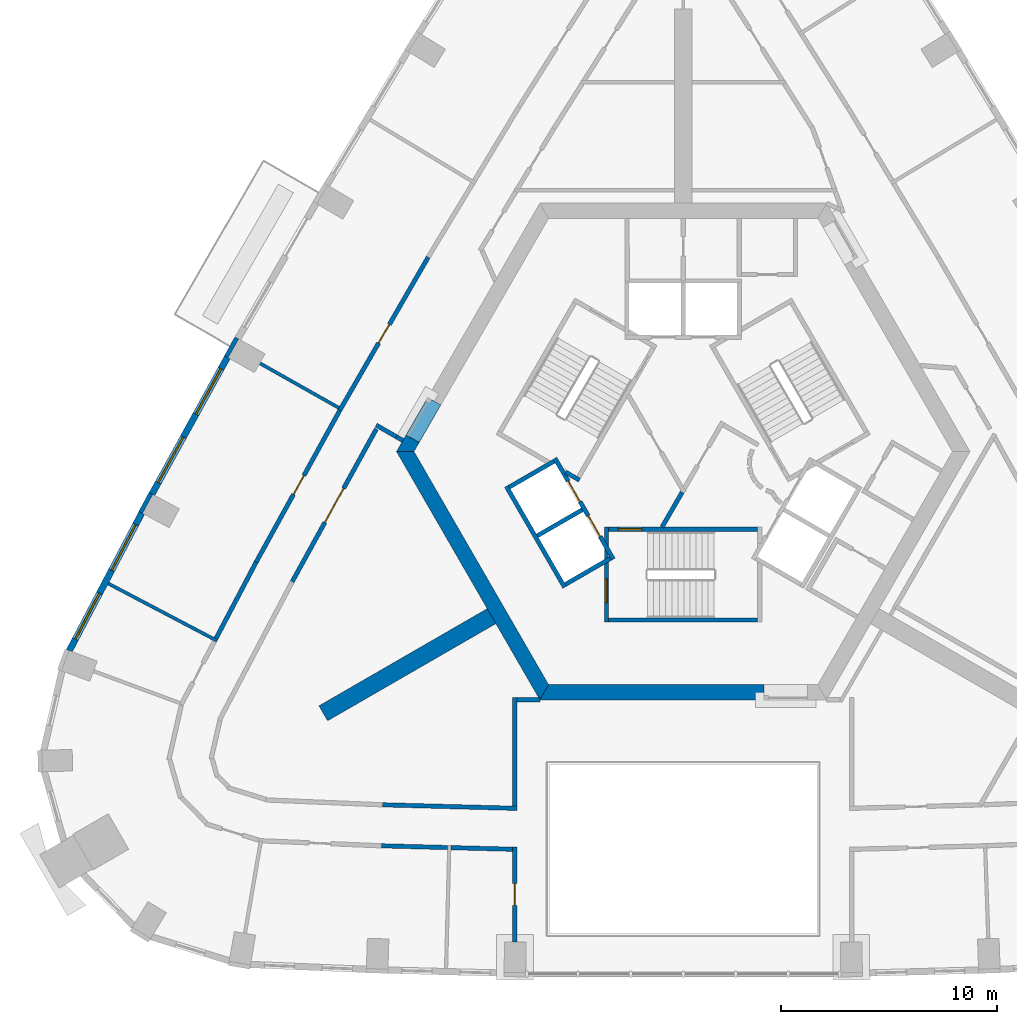
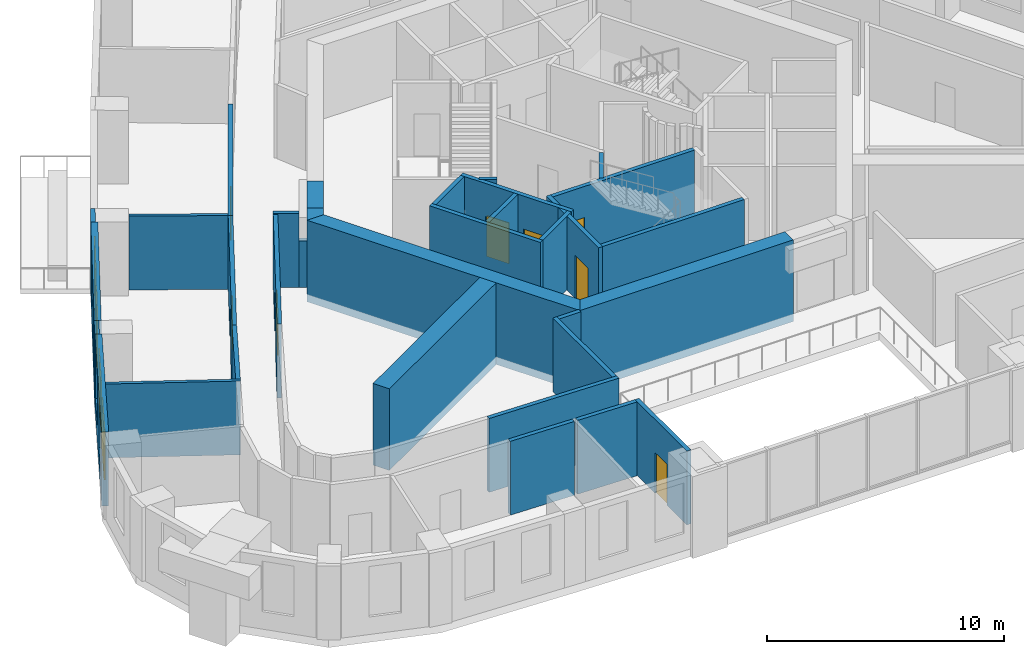
# One storey, part 4 of 13: 33 walls, 8 doors, 4 windows, 12 openings.
"""IFC4 building model written with IfcOpenShell, lengths in metres."""

from ifc_helpers import new_model, si_unit, direction, frame, frame_2d, origin, place, context, subcontext, project, spatial, polyline, rectangle, outline, extrude, material, layer, layer_set, type_object, element, fill, save


model = new_model("IFC4")

# Units and contexts
model_context = context("Model", 3, precision=1e-05, world=origin(), true_north=direction((0.0, 1.0)))
body_context = subcontext(model_context, "Body", "Model", "MODEL_VIEW")
ifc_project = project(units=[si_unit("LENGTHUNIT", "METRE"), si_unit("AREAUNIT", "SQUARE_METRE"), si_unit("VOLUMEUNIT", "CUBIC_METRE"), si_unit("PLANEANGLEUNIT", "RADIAN"), si_unit("MASSUNIT", "GRAM", prefix="KILO")], contexts=[model_context])

# Site, building, storey
site_placement = place(None, origin())
site = spatial("IfcSite", under=ifc_project, at=site_placement, CompositionType="ELEMENT")
building_placement = place(site_placement, origin())
building = spatial("IfcBuilding", under=site, at=building_placement, Name="Entoto Arch Interchange Tower", CompositionType="ELEMENT")
storey_placement = place(building_placement, frame((0.0, 0.0, 198.199951171875)))
storey = spatial("IfcBuildingStorey", under=building, at=storey_placement, Name="L44", CompositionType="ELEMENT", Elevation=198.199951171875)

# Walls
ifc_material_1 = material(Name="Concrete C50/60", Category="concrete")
ifc_layer_1 = layer(ifc_material_1, 0.800048828125)
ifc_layer_set_1 = layer_set([ifc_layer_1], Name="Concrete C50/60")
wall_type_1 = type_object("IfcWallType", Name="Buttress wall 800 C50/60", PredefinedType="SHEAR", material=ifc_layer_set_1)
wall_1_placement = place(storey_placement, frame((-8.876953125, -5.125, -0.39990234375), z_axis=(0.0, 0.0, 1.0), x_axis=(-0.866017533419, -0.500013631625, 0.0)))
element("IfcWall", 1, at=wall_1_placement, inside=storey, type_object=wall_type_1, Name="Buttress wall SW L44", PredefinedType="SHEAR", context=body_context, shape_type="SweptSolid", body=[
    extrude(rectangle(XDim=8.999755859375, YDim=0.800048828125, at=frame_2d((4.5, 0.0))), origin(), (0.0, 0.0, 1.0), 4.199951171875),
])
ifc_layer_2 = layer(ifc_material_1, 0.699951171875)
ifc_layer_set_2 = layer_set([ifc_layer_2], Name="Concrete C50/60")
wall_type_2 = type_object("IfcWallType", Name="Core wall 700 C50/60", PredefinedType="SHEAR", material=ifc_layer_set_2)
wall_2_placement = place(storey_placement, frame((0.0, 0.0, -0.39990234375)))
element("IfcWall", 2, at=wall_2_placement, inside=storey, type_object=wall_type_2, Name="Core wall NW L44", PredefinedType="SHEAR", context=body_context, shape_type="SweptSolid", body=[
    extrude(outline(polyline([(-12.22802734375, 2.919921875), (-12.833984375, 3.27001953125), (-13.279052734375, 2.5), (-12.470947265625, 2.5), (-12.22802734375, 2.919921875)])), origin(), (0.0, 0.0, 1.0), 4.199951171875),
])
wall_3_placement = place(storey_placement, frame((0.0, 0.0, 3.60009765625)))
element("IfcWall", 3, at=wall_3_placement, inside=storey, type_object=wall_type_2, Name="Core wall lintel NW L44", PredefinedType="SHEAR", context=body_context, shape_type="SweptSolid", body=[
    extrude(outline(polyline([(-12.833984375, 3.27001953125), (-12.22802734375, 2.919921875), (-11.22802734375, 4.652099609375), (-11.833984375, 5.001953125), (-12.833984375, 3.27001953125)])), origin(), (0.0, 0.0, 1.0), 0.199951171875),
])
wall_4_placement = place(storey_placement, frame((0.0, 0.0, -0.39990234375)))
element("IfcWall", 4, at=wall_4_placement, inside=storey, type_object=wall_type_2, Name="Core wall SW L44", PredefinedType="SHEAR", context=body_context, shape_type="SweptSolid", body=[
    extrude(outline(polyline([(-13.279052734375, 2.5), (-6.639892578125, -9.0), (-6.235107421875, -8.300048828125), (-12.470947265625, 2.5), (-13.279052734375, 2.5)])), origin(), (0.0, 0.0, 1.0), 4.199951171875),
])
wall_5_placement = place(storey_placement, frame((0.0, 0.0, -0.39990234375)))
element("IfcWall", 5, at=wall_5_placement, inside=storey, type_object=wall_type_2, Name="Core wall S L44", PredefinedType="SHEAR", context=body_context, shape_type="SweptSolid", body=[
    extrude(outline(polyline([(3.75, -9.0), (3.75, -8.300048828125), (-6.235107421875, -8.300048828125), (-6.639892578125, -9.0), (3.75, -9.0)])), origin(), (0.0, 0.0, 1.0), 4.199951171875),
])

# Wall, openings, doors
ifc_material_2 = material(Name="Concrete C40/50", Category="concrete")
ifc_layer_3 = layer(ifc_material_2, 0.199951171875)
ifc_layer_set_3 = layer_set([ifc_layer_3], Name="Concrete C40/50")
wall_type_3 = type_object("IfcWallType", Name="LIFT SHAFT WALL 200", PredefinedType="STANDARD", material=ifc_layer_set_3)
wall_6_placement = place(storey_placement, frame((-5.93994140625, 2.18798828125, 0.0), z_axis=(0.0, 0.0, 1.0), x_axis=(0.500034260056, -0.866005622828, 0.0)))
wall_6 = element("IfcWall", 6, at=wall_6_placement, inside=storey, type_object=wall_type_3, Name="Shaft wall SW1 front", PredefinedType="STANDARD", context=body_context, shape_type="SweptSolid", body=[
    extrude(rectangle(XDim=5.3994140625, YDim=0.199951171875, at=frame_2d((2.69970703125, 0.0))), origin(), (0.0, 0.0, 1.0), 3.800048828125),
])
opening_1_placement = place(wall_6_placement, frame((3.074951171875, 0.0, 0.0)))
opening_1 = element("IfcOpeningElement", 7, at=opening_1_placement, cuts=wall_6, Name="Opening LD-HR4-L44", PredefinedType="OPENING", context=body_context, shape_type="SweptSolid", body=[
    extrude(rectangle(XDim=1.10009765625, YDim=2.10009765625, at=frame_2d((0.550048828125, 1.050048828125))), frame((0.0, 0.10986328125, 0.0), z_axis=(0.0, -1.0, 0.0), x_axis=(1.0, 0.0, 0.0)), (0.0, 0.0, 1.0), 0.219970703125),
])
opening_2_placement = place(wall_6_placement, frame((1.22509765625, 0.0, 0.0)))
opening_2 = element("IfcOpeningElement", 8, at=opening_2_placement, cuts=wall_6, Name="Opening LD-FF2-L44", PredefinedType="OPENING", context=body_context, shape_type="SweptSolid", body=[
    extrude(rectangle(XDim=1.10009765625, YDim=2.10009765625, at=frame_2d((0.550048828125, 1.050048828125))), frame((0.0, 0.10986328125, 0.0), z_axis=(0.0, -1.0, 0.0), x_axis=(1.0, 0.0, 0.0)), (0.0, 0.0, 1.0), 0.219970703125),
])
ifc_material_3 = material(Name="Stainless steel 1.4301 panels", Category="steel")
door_type_1 = type_object("IfcDoorType", Name="LIFT LANDING DOOR LD1 1100x2100", OperationType="SLIDING_TO_LEFT", PredefinedType="DOOR", material=ifc_material_3)
door_1_placement = place(opening_1_placement, origin())
door_1 = element("IfcDoor", 9, at=door_1_placement, inside=storey, type_object=door_type_1, Name="Lift landing door HR4 L44", OperationType="SLIDING_TO_LEFT", OverallHeight=2.10009765625, OverallWidth=1.10009765625, PredefinedType="DOOR", context=body_context, shape_type="SweptSolid", body=[
    extrude(rectangle(XDim=1.10009765625, YDim=2.10009765625, at=frame_2d((0.550048828125, 1.050048828125))), frame((0.0, 0.02490234375, 0.0), z_axis=(0.0, -1.0, 0.0), x_axis=(1.0, 0.0, 0.0)), (0.0, 0.0, 1.0), 0.050048828125),
])
fill(opening_1, door_1)
door_2_placement = place(opening_2_placement, origin())
door_2 = element("IfcDoor", 10, at=door_2_placement, inside=storey, type_object=door_type_1, Name="Lift landing door FF2 L44", OperationType="SLIDING_TO_LEFT", OverallHeight=2.10009765625, OverallWidth=1.10009765625, PredefinedType="DOOR", context=body_context, shape_type="SweptSolid", body=[
    extrude(rectangle(XDim=1.10009765625, YDim=2.10009765625, at=frame_2d((0.550048828125, 1.050048828125))), frame((0.0, 0.02490234375, 0.0), z_axis=(0.0, -1.0, 0.0), x_axis=(1.0, 0.0, 0.0)), (0.0, 0.0, 1.0), 0.050048828125),
])
fill(opening_2, door_2)

# Walls
wall_7_placement = place(storey_placement, frame((-8.19189453125, 0.887939453125, 0.0), z_axis=(0.0, 0.0, 1.0), x_axis=(0.500034260056, -0.866005622828, 0.0)))
element("IfcWall", 11, at=wall_7_placement, inside=storey, type_object=wall_type_3, Name="Shaft wall SW1 back", PredefinedType="STANDARD", context=body_context, shape_type="SweptSolid", body=[
    extrude(rectangle(XDim=5.3994140625, YDim=0.199951171875, at=frame_2d((2.69970703125, 0.0))), origin(), (0.0, 0.0, 1.0), 3.800048828125),
])
for number, where, z_axis, x_axis, name in (
    (12, (-5.97705078125, 2.052001953125, 0.0), (0.0, 0.0, 1.0), (-0.865973769406, -0.500089422704, 0.0), "Shaft wall SW1 cross 1"),
    (13, (-4.677001953125, -0.199951171875, 0.0), (0.0, 0.0, 1.0), (-0.865973769406, -0.500089422704, 0.0), "Shaft wall SW1 cross 2"),
):
    element("IfcWall", number, at=place(storey_placement, frame(where, z_axis=z_axis, x_axis=x_axis)), inside=storey, type_object=wall_type_3, Name=name, PredefinedType="STANDARD", context=body_context, shape_type="SweptSolid", body=[
        extrude(rectangle(XDim=2.3994140625, YDim=0.199951171875, at=frame_2d((1.19970703125, 0.0))), origin(), (0.0, 0.0, 1.0), 3.800048828125),
    ])
wall_8_placement = place(storey_placement, frame((-3.376953125, -2.451904296875, 0.0), z_axis=(0.0, 0.0, 1.0), x_axis=(-0.865955154139, -0.50012165622, 0.0)))
element("IfcWall", 14, at=wall_8_placement, inside=storey, type_object=wall_type_3, Name="Shaft wall SW1 cross 3", PredefinedType="STANDARD", context=body_context, shape_type="SweptSolid", body=[
    extrude(rectangle(XDim=2.39990234375, YDim=0.199951171875, at=frame_2d((1.199951171875, 0.0))), origin(), (0.0, 0.0, 1.0), 3.800048828125),
])
ifc_material_4 = material(Name="Gypsum board partition on steel studs", Category="steel")
ifc_layer_4 = layer(ifc_material_4, 0.14990234375)
ifc_layer_set_4 = layer_set([ifc_layer_4], Name="Gypsum board partition on steel studs")
wall_type_4 = type_object("IfcWallType", Name="PARTITION 150", PredefinedType="PARTITIONING", material=ifc_layer_set_4)
wall_9_placement = place(storey_placement, frame((-15.9541015625, 4.52587890625, 0.0), z_axis=(0.0, 0.0, 1.0), x_axis=(-0.870940016277, 0.491389344663, 0.0)))
element("IfcWall", 15, at=wall_9_placement, inside=storey, type_object=wall_type_4, Name="wall:L44:p118", PredefinedType="PARTITIONING", context=body_context, shape_type="SweptSolid", body=[
    extrude(rectangle(XDim=4.180419921875, YDim=0.14990234375, at=frame_2d((2.09033203125, 0.0))), origin(), (0.0, 0.0, 1.0), 3.800048828125),
])
wall_10_placement = place(storey_placement, frame((-21.5849609375, -6.26708984375, 0.0), z_axis=(0.0, 0.0, 1.0), x_axis=(-0.885073333504, 0.465451602554, 0.0)))
element("IfcWall", 16, at=wall_10_placement, inside=storey, type_object=wall_type_4, Name="wall:L44:p119", PredefinedType="PARTITIONING", context=body_context, shape_type="SweptSolid", body=[
    extrude(rectangle(XDim=5.699951171875, YDim=0.14990234375, at=frame_2d((2.85009765625, 0.0))), origin(), (0.0, 0.0, 1.0), 3.800048828125),
])
ifc_layer_5 = layer(ifc_material_4, 0.199951171875)
ifc_layer_set_5 = layer_set([ifc_layer_5], Name="Gypsum board partition on steel studs")
wall_type_5 = type_object("IfcWallType", Name="PARTITION 200", PredefinedType="PARTITIONING", material=ifc_layer_set_5)
wall_11_placement = place(storey_placement, frame((-13.9189453125, -13.863037109375, 0.0), z_axis=(0.0, 0.0, 1.0), x_axis=(0.999652206272, -0.026371698764, 0.0)))
element("IfcWall", 17, at=wall_11_placement, inside=storey, type_object=wall_type_5, Name="wall:L44:p032", PredefinedType="PARTITIONING", context=body_context, shape_type="SweptSolid", body=[
    extrude(rectangle(XDim=6.22119140625, YDim=0.199951171875, at=frame_2d((3.110595703125, 0.0))), origin(), (0.0, 0.0, 1.0), 3.800048828125),
])
wall_12_placement = place(storey_placement, frame((-12.98388671875, 3.010009765625, 0.0), z_axis=(0.0, 0.0, 1.0), x_axis=(-0.866046247233, 0.49996389635, 0.0)))
element("IfcWall", 18, at=wall_12_placement, inside=storey, type_object=wall_type_5, Name="wall:L44:p033", PredefinedType="PARTITIONING", context=body_context, shape_type="SweptSolid", body=[
    extrude(rectangle(XDim=0.35009765625, YDim=0.199951171875, at=frame_2d((0.175048828125, 0.0))), origin(), (0.0, 0.0, 1.0), 2.400146484375),
])

# Wall, opening, door
wall_13_placement = place(storey_placement, frame((-14.212890625, 3.54296875, 0.0), z_axis=(0.0, 0.0, 1.0), x_axis=(-0.482724934882, -0.875772023556, 0.0)))
wall_13 = element("IfcWall", 19, at=wall_13_placement, inside=storey, type_object=wall_type_5, Name="wall:L44:p034", PredefinedType="PARTITIONING", context=body_context, shape_type="SweptSolid", body=[
    extrude(rectangle(XDim=8.077392578125, YDim=0.199951171875, at=frame_2d((4.03857421875, 0.0))), origin(), (0.0, 0.0, 1.0), 3.800048828125),
])
opening_3_placement = place(wall_13_placement, frame((3.138916015625, 0.0, 0.0)))
opening_3 = element("IfcOpeningElement", 20, at=opening_3_placement, cuts=wall_13, Name="Opening L44-D25", PredefinedType="OPENING", context=body_context, shape_type="SweptSolid", body=[
    extrude(rectangle(XDim=1.800048828125, YDim=2.10009765625, at=frame_2d((0.89990234375, 1.050048828125))), frame((0.0, 0.10986328125, 0.0), z_axis=(0.0, -1.0, 0.0), x_axis=(1.0, 0.0, 0.0)), (0.0, 0.0, 1.0), 0.219970703125),
])
ifc_material_5 = material(Name="Timber door leaf in Steel S235 frame", Category="steel")
door_type_2 = type_object("IfcDoorType", Name="DOOR DD-18 1800x2100", OperationType="DOUBLE_DOOR_SINGLE_SWING", PredefinedType="DOOR", material=ifc_material_5)
door_3_placement = place(opening_3_placement, origin())
door_3 = element("IfcDoor", 21, at=door_3_placement, inside=storey, type_object=door_type_2, Name="door:L44:25", OperationType="DOUBLE_DOOR_SINGLE_SWING", OverallHeight=2.10009765625, OverallWidth=1.800048828125, PredefinedType="DOOR", context=body_context, shape_type="SweptSolid", body=[
    extrude(rectangle(XDim=1.800048828125, YDim=2.10009765625, at=frame_2d((0.89990234375, 1.050048828125))), frame((0.0, 0.02490234375, 0.0), z_axis=(0.0, -1.0, 0.0), x_axis=(1.0, 0.0, 0.0)), (0.0, 0.0, 1.0), 0.050048828125),
])
fill(opening_3, door_3)

wall_14_placement = place(storey_placement, frame((-15.905029296875, 4.412109375, 0.0), z_axis=(0.0, 0.0, 1.0), x_axis=(0.5000098125, 0.866019738461, 0.0)))
wall_14 = element("IfcWall", 22, at=wall_14_placement, inside=storey, type_object=wall_type_5, Name="wall:L44:p054", PredefinedType="PARTITIONING", context=body_context, shape_type="SweptSolid", body=[
    extrude(rectangle(XDim=8.187744140625, YDim=0.199951171875, at=frame_2d((4.09375, 0.0))), origin(), (0.0, 0.0, 1.0), 3.800048828125),
])
opening_4_placement = place(wall_14_placement, frame((3.593994140625, 0.0, 0.0)))
opening_4 = element("IfcOpeningElement", 23, at=opening_4_placement, cuts=wall_14, Name="Opening L44-D11", PredefinedType="OPENING", context=body_context, shape_type="SweptSolid", body=[
    extrude(rectangle(XDim=1.0, YDim=2.10009765625, at=frame_2d((0.5, 1.050048828125))), frame((0.0, 0.10986328125, 0.0), z_axis=(0.0, -1.0, 0.0), x_axis=(1.0, 0.0, 0.0)), (0.0, 0.0, 1.0), 0.219970703125),
])
door_type_3 = type_object("IfcDoorType", Name="DOOR DS-10 1000x2100", OperationType="SINGLE_SWING_LEFT", PredefinedType="DOOR", material=ifc_material_5)
door_4_placement = place(opening_4_placement, origin())
door_4 = element("IfcDoor", 24, at=door_4_placement, inside=storey, type_object=door_type_3, Name="door:L44:11", OperationType="SINGLE_SWING_LEFT", OverallHeight=2.10009765625, OverallWidth=1.0, PredefinedType="DOOR", context=body_context, shape_type="SweptSolid", body=[
    extrude(rectangle(XDim=1.0, YDim=2.10009765625, at=frame_2d((0.5, 1.050048828125))), frame((0.0, 0.02490234375, 0.0), z_axis=(0.0, -1.0, 0.0), x_axis=(1.0, 0.0, 0.0)), (0.0, 0.0, 1.0), 0.050048828125),
])
fill(opening_4, door_4)

# Wall
wall_15_placement = place(storey_placement, frame((-21.637939453125, -6.154052734375, 0.0), z_axis=(0.0, 0.0, 1.0), x_axis=(0.465392595139, 0.885104362428, 0.0)))
element("IfcWall", 25, at=wall_15_placement, inside=storey, type_object=wall_type_5, Name="wall:L44:p056", PredefinedType="PARTITIONING", context=body_context, shape_type="SweptSolid", body=[
    extrude(rectangle(XDim=3.981689453125, YDim=0.199951171875, at=frame_2d((1.99072265625, 0.0))), origin(), (0.0, 0.0, 1.0), 3.800048828125),
])

# Wall, opening, door
wall_16_placement = place(storey_placement, frame((-19.784912109375, -2.6298828125, 0.0), z_axis=(0.0, 0.0, 1.0), x_axis=(0.482817232578, 0.875721142788, 0.0)))
wall_16 = element("IfcWall", 26, at=wall_16_placement, inside=storey, type_object=wall_type_5, Name="wall:L44:p057", PredefinedType="PARTITIONING", context=body_context, shape_type="SweptSolid", body=[
    extrude(rectangle(XDim=8.0400390625, YDim=0.199951171875, at=frame_2d((4.02001953125, 0.0))), origin(), (0.0, 0.0, 1.0), 3.800048828125),
])
opening_5_placement = place(wall_16_placement, frame((3.594970703125, 0.0, 0.0)))
opening_5 = element("IfcOpeningElement", 27, at=opening_5_placement, cuts=wall_16, Name="Opening L44-D12", PredefinedType="OPENING", context=body_context, shape_type="SweptSolid", body=[
    extrude(rectangle(XDim=1.0, YDim=2.10009765625, at=frame_2d((0.5, 1.050048828125))), frame((0.0, 0.10986328125, 0.0), z_axis=(0.0, -1.0, 0.0), x_axis=(1.0, 0.0, 0.0)), (0.0, 0.0, 1.0), 0.219970703125),
])
door_5_placement = place(opening_5_placement, origin())
door_5 = element("IfcDoor", 28, at=door_5_placement, inside=storey, type_object=door_type_3, Name="door:L44:12", OperationType="SINGLE_SWING_LEFT", OverallHeight=2.10009765625, OverallWidth=1.0, PredefinedType="DOOR", context=body_context, shape_type="SweptSolid", body=[
    extrude(rectangle(XDim=1.0, YDim=2.10009765625, at=frame_2d((0.5, 1.050048828125))), frame((0.0, 0.02490234375, 0.0), z_axis=(0.0, -1.0, 0.0), x_axis=(1.0, 0.0, 0.0)), (0.0, 0.0, 1.0), 0.050048828125),
])
fill(opening_5, door_5)

# Walls
wall_17_placement = place(storey_placement, frame((-10.912109375, -15.843017578125, 0.0), z_axis=(0.0, 0.0, 1.0), x_axis=(-0.999652047394, 0.026377720532, 0.0)))
element("IfcWall", 29, at=wall_17_placement, inside=storey, type_object=wall_type_5, Name="wall:L44:p063", PredefinedType="PARTITIONING", context=body_context, shape_type="SweptSolid", body=[
    extrude(rectangle(XDim=3.07275390625, YDim=0.199951171875, at=frame_2d((1.536376953125, 0.0))), origin(), (0.0, 0.0, 1.0), 3.800048828125),
])
wall_18_placement = place(storey_placement, frame((-7.89990234375, -15.922119140625, 0.0), z_axis=(0.0, 0.0, 1.0), x_axis=(-0.999655039681, 0.026264075085, 0.0)))
element("IfcWall", 30, at=wall_18_placement, inside=storey, type_object=wall_type_5, Name="wall:L44:p065", PredefinedType="PARTITIONING", context=body_context, shape_type="SweptSolid", body=[
    extrude(rectangle(XDim=2.863037109375, YDim=0.199951171875, at=frame_2d((1.431640625, 0.0))), origin(), (0.0, 0.0, 1.0), 3.800048828125),
])
wall_19_placement = place(storey_placement, frame((-0.98193359375, -1.0, 0.0), z_axis=(0.0, 0.0, 1.0), x_axis=(0.50024047865, 0.865886518847, 0.0)))
element("IfcWall", 31, at=wall_19_placement, inside=storey, type_object=wall_type_5, Name="wall:L44:p082", PredefinedType="PARTITIONING", context=body_context, shape_type="SweptSolid", body=[
    extrude(rectangle(XDim=1.86279296875, YDim=0.199951171875, at=frame_2d((0.931396484375, 0.0))), origin(), (0.0, 0.0, 1.0), 3.800048828125),
])
wall_20_placement = place(storey_placement, frame((-7.800048828125, -13.924072265625, 0.0), z_axis=(0.0, 0.0, 1.0), x_axis=(0.0, 1.0, 0.0)))
element("IfcWall", 32, at=wall_20_placement, inside=storey, type_object=wall_type_5, Name="wall:L44:p095", PredefinedType="PARTITIONING", context=body_context, shape_type="SweptSolid", body=[
    extrude(rectangle(XDim=5.025146484375, YDim=0.199951171875, at=frame_2d((2.5126953125, 0.0))), origin(), (0.0, 0.0, 1.0), 3.800048828125),
])
wall_21_placement = place(storey_placement, frame((-7.699951171875, -8.9990234375, 0.0), z_axis=(0.0, 0.0, 1.0), x_axis=(1.0, 0.0, 0.0)))
element("IfcWall", 33, at=wall_21_placement, inside=storey, type_object=wall_type_5, Name="wall:L44:p096", PredefinedType="PARTITIONING", context=body_context, shape_type="SweptSolid", body=[
    extrude(rectangle(XDim=1.058837890625, YDim=0.199951171875, at=frame_2d((0.529296875, 0.0))), origin(), (0.0, 0.0, 1.0), 3.800048828125),
])

# Wall, opening, door
wall_22_placement = place(storey_placement, frame((-7.800048828125, -20.20703125, 0.0), z_axis=(0.0, 0.0, 1.0), x_axis=(0.0, 1.0, 0.0)))
wall_22 = element("IfcWall", 34, at=wall_22_placement, inside=storey, type_object=wall_type_5, Name="wall:L44:p098", PredefinedType="PARTITIONING", context=body_context, shape_type="SweptSolid", body=[
    extrude(rectangle(XDim=4.382080078125, YDim=0.199951171875, at=frame_2d((2.19091796875, 0.0))), origin(), (0.0, 0.0, 1.0), 3.800048828125),
])
opening_6_placement = place(wall_22_placement, frame((1.69091796875, 0.0, 0.0)))
opening_6 = element("IfcOpeningElement", 35, at=opening_6_placement, cuts=wall_22, Name="Opening L44-D16", PredefinedType="OPENING", context=body_context, shape_type="SweptSolid", body=[
    extrude(rectangle(XDim=1.0, YDim=2.10009765625, at=frame_2d((0.5, 1.050048828125))), frame((0.0, 0.10986328125, 0.0), z_axis=(0.0, -1.0, 0.0), x_axis=(1.0, 0.0, 0.0)), (0.0, 0.0, 1.0), 0.219970703125),
])
door_6_placement = place(opening_6_placement, origin())
door_6 = element("IfcDoor", 36, at=door_6_placement, inside=storey, type_object=door_type_3, Name="door:L44:16", OperationType="SINGLE_SWING_LEFT", OverallHeight=2.10009765625, OverallWidth=1.0, PredefinedType="DOOR", context=body_context, shape_type="SweptSolid", body=[
    extrude(rectangle(XDim=1.0, YDim=2.10009765625, at=frame_2d((0.5, 1.050048828125))), frame((0.0, 0.02490234375, 0.0), z_axis=(0.0, -1.0, 0.0), x_axis=(1.0, 0.0, 0.0)), (0.0, 0.0, 1.0), 0.050048828125),
])
fill(opening_6, door_6)

# Wall
wall_23_placement = place(storey_placement, frame((-13.287109375, 3.18505859375, 0.0), z_axis=(0.0, 0.0, 1.0), x_axis=(-0.866121626761, 0.499833299868, 0.0)))
element("IfcWall", 37, at=wall_23_placement, inside=storey, type_object=wall_type_5, Name="wall:L44:p033", PredefinedType="PARTITIONING", context=body_context, shape_type="SweptSolid", body=[
    extrude(rectangle(XDim=1.080322265625, YDim=0.199951171875, at=frame_2d((0.5400390625, 0.0))), origin(), (0.0, 0.0, 1.0), 3.800048828125),
])

# Wall, opening, door
ifc_layer_6 = layer(ifc_material_2, 0.199951171875)
ifc_layer_set_6 = layer_set([ifc_layer_6], Name="Concrete C40/50")
wall_type_6 = type_object("IfcWallType", Name="STAIR ENCLOSURE WALL 200", PredefinedType="STANDARD", material=ifc_layer_set_6)
wall_24_placement = place(storey_placement, frame((-3.550048828125, -1.0, 0.0), z_axis=(0.0, 0.0, 1.0), x_axis=(0.0, -1.0, 0.0)))
wall_24 = element("IfcWall", 38, at=wall_24_placement, inside=storey, type_object=wall_type_6, Name="Stair wall ST-S near", PredefinedType="STANDARD", context=body_context, shape_type="SweptSolid", body=[
    extrude(rectangle(XDim=4.39990234375, YDim=0.199951171875, at=frame_2d((2.199951171875, 0.0))), origin(), (0.0, 0.0, 1.0), 3.800048828125),
])
opening_7_placement = place(wall_24_placement, frame((2.39990234375, 0.0, 0.0)))
opening_7 = element("IfcOpeningElement", 39, at=opening_7_placement, cuts=wall_24, Name="Opening SD-ST-S-L44-E", PredefinedType="OPENING", context=body_context, shape_type="SweptSolid", body=[
    extrude(rectangle(XDim=1.10009765625, YDim=2.199951171875, at=frame_2d((0.550048828125, 1.10009765625))), frame((0.0, 0.10986328125, 0.0), z_axis=(0.0, -1.0, 0.0), x_axis=(1.0, 0.0, 0.0)), (0.0, 0.0, 1.0), 0.219970703125),
])
ifc_material_6 = material(Name="Steel S235", Category="steel")
door_type_4 = type_object("IfcDoorType", Name="STAIR DOOR SD1 1100x2200", OperationType="SINGLE_SWING_LEFT", PredefinedType="DOOR", material=ifc_material_6)
door_7_placement = place(opening_7_placement, origin())
door_7 = element("IfcDoor", 40, at=door_7_placement, inside=storey, type_object=door_type_4, Name="Stair door ST-S L44 end", OperationType="SINGLE_SWING_LEFT", OverallHeight=2.199951171875, OverallWidth=1.10009765625, PredefinedType="DOOR", context=body_context, shape_type="SweptSolid", body=[
    extrude(rectangle(XDim=1.10009765625, YDim=2.199951171875, at=frame_2d((0.550048828125, 1.10009765625))), frame((0.0, 0.02490234375, 0.0), z_axis=(0.0, -1.0, 0.0), x_axis=(1.0, 0.0, 0.0)), (0.0, 0.0, 1.0), 0.050048828125),
])
fill(opening_7, door_7)

wall_25_placement = place(storey_placement, frame((-3.449951171875, -1.10009765625, 0.0), z_axis=(0.0, 0.0, 1.0), x_axis=(1.0, 0.0, 0.0)))
wall_25 = element("IfcWall", 41, at=wall_25_placement, inside=storey, type_object=wall_type_6, Name="Stair wall ST-S hall", PredefinedType="STANDARD", context=body_context, shape_type="SweptSolid", body=[
    extrude(rectangle(XDim=6.89990234375, YDim=0.199951171875, at=frame_2d((3.449951171875, 0.0))), origin(), (0.0, 0.0, 1.0), 3.800048828125),
])
opening_8_placement = place(wall_25_placement, frame((0.449951171875, 0.0, 0.0)))
opening_8 = element("IfcOpeningElement", 42, at=opening_8_placement, cuts=wall_25, Name="Opening SD-ST-S-L44", PredefinedType="OPENING", context=body_context, shape_type="SweptSolid", body=[
    extrude(rectangle(XDim=1.10009765625, YDim=2.199951171875, at=frame_2d((0.550048828125, 1.10009765625))), frame((0.0, 0.10986328125, 0.0), z_axis=(0.0, -1.0, 0.0), x_axis=(1.0, 0.0, 0.0)), (0.0, 0.0, 1.0), 0.219970703125),
])
door_8_placement = place(opening_8_placement, origin())
door_8 = element("IfcDoor", 43, at=door_8_placement, inside=storey, type_object=door_type_4, Name="Stair door ST-S L44", OperationType="SINGLE_SWING_LEFT", OverallHeight=2.199951171875, OverallWidth=1.10009765625, PredefinedType="DOOR", context=body_context, shape_type="SweptSolid", body=[
    extrude(rectangle(XDim=1.10009765625, YDim=2.199951171875, at=frame_2d((0.550048828125, 1.10009765625))), frame((0.0, 0.02490234375, 0.0), z_axis=(0.0, -1.0, 0.0), x_axis=(1.0, 0.0, 0.0)), (0.0, 0.0, 1.0), 0.050048828125),
])
fill(opening_8, door_8)

# Walls
wall_26_placement = place(storey_placement, frame((-3.449951171875, -5.300048828125, 0.0), z_axis=(0.0, 0.0, 1.0), x_axis=(1.0, 0.0, 0.0)))
element("IfcWall", 44, at=wall_26_placement, inside=storey, type_object=wall_type_6, Name="Stair wall ST-S back", PredefinedType="STANDARD", context=body_context, shape_type="SweptSolid", body=[
    extrude(rectangle(XDim=6.89990234375, YDim=0.199951171875, at=frame_2d((3.449951171875, 0.0))), origin(), (0.0, 0.0, 1.0), 3.800048828125),
])
wall_27_placement = place(storey_placement, frame((-4.805908203125, 1.176025390625, 0.0), z_axis=(0.0, 0.0, 1.0), x_axis=(-0.866558586415, 0.499075361355, 0.0)))
element("IfcWall", 45, at=wall_27_placement, inside=storey, type_object=wall_type_6, Name="Stair wall ST-NW far return", PredefinedType="STANDARD", context=body_context, shape_type="SweptSolid", body=[
    extrude(rectangle(XDim=0.75146484375, YDim=0.199951171875, at=frame_2d((0.375732421875, 0.0))), origin(), (0.0, 0.0, 1.0), 3.800048828125),
])

# Wall, openings, windows
ifc_material_7 = material(Name="Welded tuff (ignimbrite) cladding, warm buff", Category="masonry")
ifc_layer_7 = layer(ifc_material_7, 0.300048828125)
ifc_layer_set_7 = layer_set([ifc_layer_7], Name="Welded tuff (ignimbrite) cladding, warm buff")
wall_type_7 = type_object("IfcWallType", Name="STONE INFILL WALL 300", PredefinedType="STANDARD", material=ifc_layer_set_7)
wall_28_placement = place(storey_placement, frame((-21.115966796875, 6.864990234375, 0.0), z_axis=(0.0, 0.0, 1.0), x_axis=(-0.482862185961, -0.875696356832, 0.0)))
wall_28 = element("IfcWall", 46, at=wall_28_placement, inside=storey, type_object=wall_type_7, Name="Facade wall NW-04 L44", PredefinedType="STANDARD", context=body_context, shape_type="SweptSolid", body=[
    extrude(rectangle(XDim=7.229736328125, YDim=0.300048828125, at=frame_2d((3.61474609375, 0.0))), origin(), (0.0, 0.0, 1.0), 3.800048828125),
])
opening_9_placement = place(wall_28_placement, frame((0.60693359375, 0.0, 0.89990234375)))
opening_9 = element("IfcOpeningElement", 47, at=opening_9_placement, cuts=wall_28, Name="Opening WO-A", PredefinedType="OPENING", context=body_context, shape_type="SweptSolid", body=[
    extrude(rectangle(XDim=2.39990234375, YDim=2.60009765625, at=frame_2d((1.199951171875, 1.300048828125))), frame((0.0, 0.16015625, 0.0), z_axis=(0.0, -1.0, 0.0), x_axis=(1.0, 0.0, 0.0)), (0.0, 0.0, 1.0), 0.320068359375),
])
opening_10_placement = place(wall_28_placement, frame((4.221923828125, 0.0, 0.89990234375)))
opening_10 = element("IfcOpeningElement", 48, at=opening_10_placement, cuts=wall_28, Name="Opening WO-A", PredefinedType="OPENING", context=body_context, shape_type="SweptSolid", body=[
    extrude(rectangle(XDim=2.39990234375, YDim=2.60009765625, at=frame_2d((1.199951171875, 1.300048828125))), frame((0.0, 0.16015625, 0.0), z_axis=(0.0, -1.0, 0.0), x_axis=(1.0, 0.0, 0.0)), (0.0, 0.0, 1.0), 0.320068359375),
])
ifc_material_8 = material(Name="Clear glass, low-e double glazed", Category="glass")
window_type = type_object("IfcWindowType", Name="WINDOW WO-A 2400x2600", PartitioningType="DOUBLE_PANEL_VERTICAL", PredefinedType="WINDOW", material=ifc_material_8)
window_1_placement = place(opening_9_placement, origin())
window_1 = element("IfcWindow", 49, at=window_1_placement, inside=storey, type_object=window_type, Name="Window WO-A NW-04 L44", OverallHeight=2.60009765625, OverallWidth=2.39990234375, PartitioningType="SINGLE_PANEL", PredefinedType="WINDOW", context=body_context, shape_type="SweptSolid", body=[
    extrude(rectangle(XDim=2.39990234375, YDim=2.60009765625, at=frame_2d((1.199951171875, 1.300048828125))), frame((0.0, 0.030029296875, 0.0), z_axis=(0.0, -1.0, 0.0), x_axis=(1.0, 0.0, 0.0)), (0.0, 0.0, 1.0), 0.06005859375),
])
fill(opening_9, window_1)
window_2_placement = place(opening_10_placement, origin())
window_2 = element("IfcWindow", 50, at=window_2_placement, inside=storey, type_object=window_type, Name="Window WO-A NW-04 L44", OverallHeight=2.60009765625, OverallWidth=2.39990234375, PartitioningType="SINGLE_PANEL", PredefinedType="WINDOW", context=body_context, shape_type="SweptSolid", body=[
    extrude(rectangle(XDim=2.39990234375, YDim=2.60009765625, at=frame_2d((1.199951171875, 1.300048828125))), frame((0.0, 0.030029296875, 0.0), z_axis=(0.0, -1.0, 0.0), x_axis=(1.0, 0.0, 0.0)), (0.0, 0.0, 1.0), 0.06005859375),
])
fill(opening_10, window_2)

wall_29_placement = place(storey_placement, frame((-25.080078125, -0.344970703125, 0.0), z_axis=(0.0, 0.0, 1.0), x_axis=(-0.465478369088, -0.885059256723, 0.0)))
wall_29 = element("IfcWall", 51, at=wall_29_placement, inside=storey, type_object=wall_type_7, Name="Facade wall NW-05 L44", PredefinedType="STANDARD", context=body_context, shape_type="SweptSolid", body=[
    extrude(rectangle(XDim=7.20751953125, YDim=0.300048828125, at=frame_2d((3.603759765625, 0.0))), origin(), (0.0, 0.0, 1.0), 3.800048828125),
])
opening_11_placement = place(wall_29_placement, frame((0.60205078125, 0.0, 0.89990234375)))
opening_11 = element("IfcOpeningElement", 52, at=opening_11_placement, cuts=wall_29, Name="Opening WO-A", PredefinedType="OPENING", context=body_context, shape_type="SweptSolid", body=[
    extrude(rectangle(XDim=2.39990234375, YDim=2.60009765625, at=frame_2d((1.199951171875, 1.300048828125))), frame((0.0, 0.16015625, 0.0), z_axis=(0.0, -1.0, 0.0), x_axis=(1.0, 0.0, 0.0)), (0.0, 0.0, 1.0), 0.320068359375),
])
opening_12_placement = place(wall_29_placement, frame((4.2060546875, 0.0, 0.89990234375)))
opening_12 = element("IfcOpeningElement", 53, at=opening_12_placement, cuts=wall_29, Name="Opening WO-A", PredefinedType="OPENING", context=body_context, shape_type="SweptSolid", body=[
    extrude(rectangle(XDim=2.39990234375, YDim=2.60009765625, at=frame_2d((1.199951171875, 1.300048828125))), frame((0.0, 0.16015625, 0.0), z_axis=(0.0, -1.0, 0.0), x_axis=(1.0, 0.0, 0.0)), (0.0, 0.0, 1.0), 0.320068359375),
])
window_3_placement = place(opening_11_placement, origin())
window_3 = element("IfcWindow", 54, at=window_3_placement, inside=storey, type_object=window_type, Name="Window WO-A NW-05 L44", OverallHeight=2.60009765625, OverallWidth=2.39990234375, PartitioningType="SINGLE_PANEL", PredefinedType="WINDOW", context=body_context, shape_type="SweptSolid", body=[
    extrude(rectangle(XDim=2.39990234375, YDim=2.60009765625, at=frame_2d((1.199951171875, 1.300048828125))), frame((0.0, 0.030029296875, 0.0), z_axis=(0.0, -1.0, 0.0), x_axis=(1.0, 0.0, 0.0)), (0.0, 0.0, 1.0), 0.06005859375),
])
fill(opening_11, window_3)
window_4_placement = place(opening_12_placement, origin())
window_4 = element("IfcWindow", 55, at=window_4_placement, inside=storey, type_object=window_type, Name="Window WO-A NW-05 L44", OverallHeight=2.60009765625, OverallWidth=2.39990234375, PartitioningType="SINGLE_PANEL", PredefinedType="WINDOW", context=body_context, shape_type="SweptSolid", body=[
    extrude(rectangle(XDim=2.39990234375, YDim=2.60009765625, at=frame_2d((1.199951171875, 1.300048828125))), frame((0.0, 0.030029296875, 0.0), z_axis=(0.0, -1.0, 0.0), x_axis=(1.0, 0.0, 0.0)), (0.0, 0.0, 1.0), 0.06005859375),
])
fill(opening_12, window_4)

# Walls
ifc_layer_8 = layer(ifc_material_7, 0.199951171875)
ifc_layer_set_8 = layer_set([ifc_layer_8], Name="Welded tuff (ignimbrite) cladding, warm buff")
wall_type_8 = type_object("IfcWallType", Name="STONE PIER CLADDING 200", PredefinedType="STANDARD", material=ifc_layer_set_8)
wall_30_placement = place(storey_placement, frame((-20.673095703125, 7.761962890625, 0.0), z_axis=(0.0, 0.0, 1.0), x_axis=(-0.491848119507, -0.870681013539, 0.0)))
element("IfcWall", 56, at=wall_30_placement, inside=storey, type_object=wall_type_8, Name="Stone pier NW04 L44", PredefinedType="STANDARD", context=body_context, shape_type="SweptSolid", body=[
    extrude(rectangle(XDim=1.000244140625, YDim=0.199951171875, at=frame_2d((0.5, 0.0))), origin(), (0.0, 0.0, 1.0), 3.800048828125),
])
wall_31_placement = place(storey_placement, frame((-24.655029296875, 0.56103515625, 0.0), z_axis=(0.0, 0.0, 1.0), x_axis=(-0.473663196434, -0.88070606694, 0.0)))
element("IfcWall", 57, at=wall_31_placement, inside=storey, type_object=wall_type_8, Name="Stone pier NW05 L44", PredefinedType="STANDARD", context=body_context, shape_type="SweptSolid", body=[
    extrude(rectangle(XDim=1.00048828125, YDim=0.199951171875, at=frame_2d((0.500244140625, 0.0))), origin(), (0.0, 0.0, 1.0), 3.800048828125),
])

save(model, "model.ifc")
